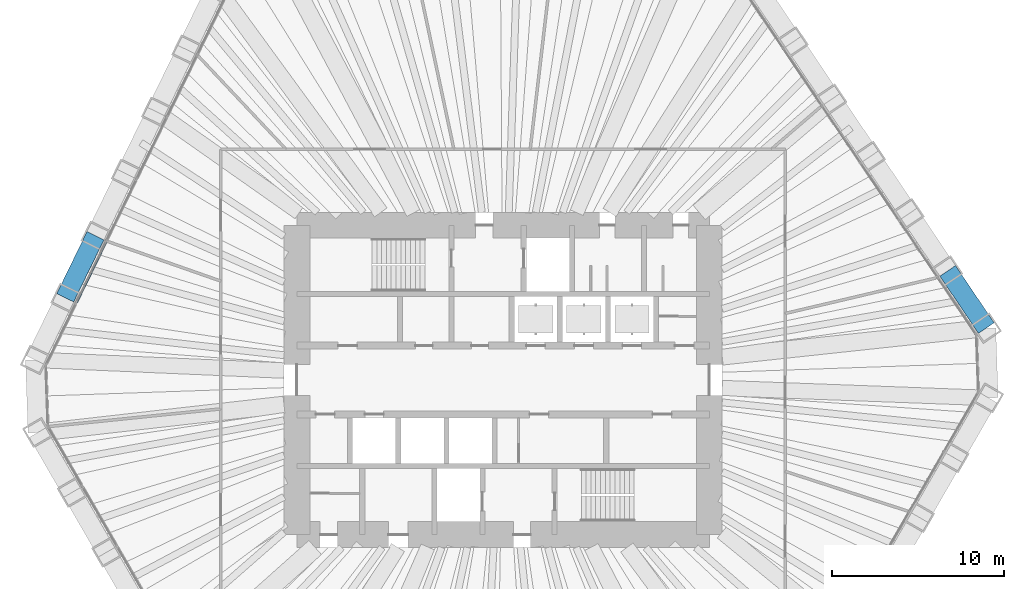
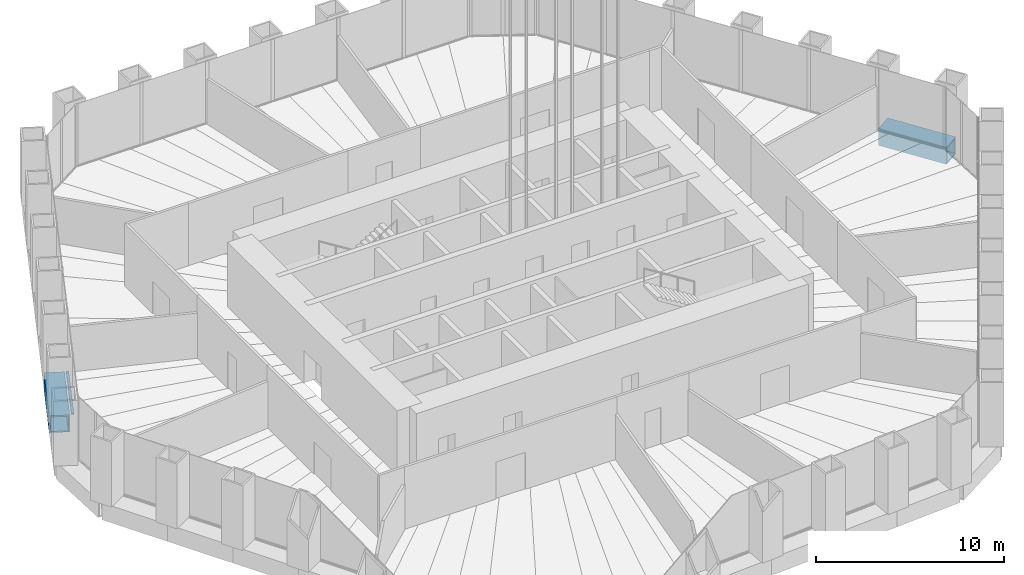
# One storey, part 5 of 20: 3 members, 1 element without a shape of its own.
"""IFC4 building model written with IfcOpenShell, lengths in metres."""

import ifcopenshell
import ifcopenshell.guid

model = None  # the IFC model being written
_history = None  # IfcOwnerHistory: only IFC2X3 demands one
_inside = {}  # id of a spatial element -> (the spatial element, [elements in it])
_under = {}  # id of a project, library or spatial element -> (it, [spatial elements below it])
_declared = {}  # id of a project -> (the project, [libraries it declares])
_typed = {}  # id of a type object -> (the type object, [elements of that type])
_made_of = {}  # id of a material, layer set ... -> (it, [elements and type objects made of it])


def new_model(schema):
    """Start an empty IFC model of exactly this schema.

    Asked for "IFC4X3", IfcOpenShell would pick the latest addendum, in which some entities
    have other attributes; the version numbers below select the first issue.
    IFC2X3 requires an IfcOwnerHistory on every rooted entity: one is made here for all.
    """
    global model, _history
    if schema == "IFC4X3":
        model = ifcopenshell.file(schema_version=(4, 3, 0, 0))
    else:
        model = ifcopenshell.file(schema=schema)
    _inside.clear()
    _under.clear()
    _declared.clear()
    _typed.clear()
    _made_of.clear()
    _history = None
    if model.schema == "IFC2X3":
        org = make("IfcOrganization", Name="unknown")
        user = make(
            "IfcPersonAndOrganization",
            ThePerson=make("IfcPerson", FamilyName="unknown"),
            TheOrganization=org,
        )
        app = make(
            "IfcApplication",
            ApplicationDeveloper=org,
            Version="unknown",
            ApplicationFullName="unknown",
            ApplicationIdentifier="unknown",
        )
        _history = make(
            "IfcOwnerHistory",
            OwningUser=user,
            OwningApplication=app,
            ChangeAction="ADDED",
            CreationDate=0,
        )
    return model


def make(cls, **values):
    """One entity of the class cls with the attributes given. An attribute that is None is left unset."""
    return model.create_entity(
        cls, **{name: value for name, value in values.items() if value is not None}
    )


def rooted(cls, **values):
    """An entity with a GlobalId (a new one), such as an element, a storey or a relation."""
    return make(cls, GlobalId=ifcopenshell.guid.new(), OwnerHistory=_history, **values)


def si_unit(unit_type, name, prefix=None):
    """IfcSIUnit, for example si_unit("LENGTHUNIT", "METRE", prefix="MILLI")."""
    return make("IfcSIUnit", UnitType=unit_type, Prefix=prefix, Name=name)


def assignment(units):
    """IfcUnitAssignment: the units of a project."""
    return None if units is None else make("IfcUnitAssignment", Units=units)


def point(xyz):
    """IfcCartesianPoint."""
    return None if xyz is None else make("IfcCartesianPoint", Coordinates=xyz)


def direction(xyz):
    """IfcDirection."""
    return None if xyz is None else make("IfcDirection", DirectionRatios=xyz)


def frame(location, z_axis=None, x_axis=None):
    """IfcAxis2Placement3D, a coordinate frame: its origin and axes. An axis left out is left unset."""
    return make(
        "IfcAxis2Placement3D",
        Location=point(location),
        Axis=direction(z_axis),
        RefDirection=direction(x_axis),
    )


def frame_2d(location, x_axis=None):
    """IfcAxis2Placement2D, a coordinate frame in the plane: its origin and x axis."""
    return make(
        "IfcAxis2Placement2D", Location=point(location), RefDirection=direction(x_axis)
    )


def origin():
    """The frame at (0, 0, 0) with its axes left unset."""
    return frame((0.0, 0.0, 0.0))


def origin_2d():
    """The frame at (0, 0) in the plane with its x axis left unset."""
    return frame_2d((0.0, 0.0))


def place(relative_to, where):
    """IfcLocalPlacement: puts the frame where relative to a parent placement (None: the world)."""
    return make(
        "IfcLocalPlacement", PlacementRelTo=relative_to, RelativePlacement=where
    )


def context(
    kind, dimensions, precision=None, world=None, true_north=None, identifier=None
):
    """IfcGeometricRepresentationContext, for example the 3D "Model" context."""
    return make(
        "IfcGeometricRepresentationContext",
        ContextIdentifier=identifier,
        ContextType=kind,
        CoordinateSpaceDimension=dimensions,
        Precision=precision,
        WorldCoordinateSystem=world,
        TrueNorth=true_north,
    )


def subcontext(parent, identifier, kind, view, scale=None):
    """IfcGeometricRepresentationSubContext, for example "Body" below "Model"."""
    return make(
        "IfcGeometricRepresentationSubContext",
        ContextIdentifier=identifier,
        ContextType=kind,
        ParentContext=parent,
        TargetScale=scale,
        TargetView=view,
    )


def project(units=None, contexts=None):
    """IfcProject with its units and contexts."""
    return rooted(
        "IfcProject",
        Name="project",
        RepresentationContexts=contexts,
        UnitsInContext=assignment(units),
    )


def spatial(cls, under=None, at=None, **own):
    """A site, building, storey or space (cls), placed at a placement, below another one or the project."""
    s = rooted(cls, ObjectPlacement=at, **own)
    if under is not None:
        _under.setdefault(under.id(), (under, []))[1].append(s)
    return s


def profile(cls, at=None, kind="AREA", **sizes):
    """A parametric profile (cls). Its sizes go by their IFC names, for example OverallWidth=200.0."""
    return make(cls, ProfileType=kind, Position=at, **sizes)


def rectangle(**sizes):
    """IfcRectangleProfileDef."""
    return profile("IfcRectangleProfileDef", **sizes)


def hollow_rectangle(**sizes):
    """IfcRectangleHollowProfileDef."""
    return profile("IfcRectangleHollowProfileDef", **sizes)


def extrude(swept, where, along, depth):
    """IfcExtrudedAreaSolid: the profile swept, set in the frame where, extruded along a direction by depth."""
    return make(
        "IfcExtrudedAreaSolid",
        SweptArea=swept,
        Position=where,
        ExtrudedDirection=direction(along),
        Depth=depth,
    )


def shape(context_of_items, identifier, shape_type, items):
    """IfcShapeRepresentation: the items that make up one representation, for example the "Body"."""
    return make(
        "IfcShapeRepresentation",
        ContextOfItems=context_of_items,
        RepresentationIdentifier=identifier,
        RepresentationType=shape_type,
        Items=items,
    )


def material(Name=None, Category=None):
    """IfcMaterial."""
    return make("IfcMaterial", Name=Name, Category=Category)


def material_profile(
    of_material, cross_section, Name=None, Category=None, Priority=None
):
    """IfcMaterialProfile: a cross section and its material."""
    return make(
        "IfcMaterialProfile",
        Name=Name,
        Material=of_material,
        Profile=cross_section,
        Priority=Priority,
        Category=Category,
    )


def profile_set(profiles, Name=None, composite=None):
    """IfcMaterialProfileSet."""
    return make(
        "IfcMaterialProfileSet",
        Name=Name,
        MaterialProfiles=profiles,
        CompositeProfile=composite,
    )


def made_of(thing, what):
    """Note that an element or type object is made of a material, layer set ...; save() writes the relation."""
    if what is not None:
        _made_of.setdefault(what.id(), (what, []))[1].append(thing)
    return thing


def type_object(cls, material=None, **own):
    """A type object (cls), such as IfcWallType, which elements share."""
    return made_of(rooted(cls, **own), material)


def element(
    cls,
    number,
    at=None,
    inside=None,
    cuts=None,
    type_object=None,
    material=None,
    context=None,
    identifier="Body",
    shape_type=None,
    held_by="IfcProductDefinitionShape",
    body=None,
    shapes=None,
    **own,
):
    """One element of the class cls, such as IfcWall. Its Tag is "e" and its number.

    at: its placement. inside: the storey or other place that contains it. cuts: it is an
    opening in that element (IfcRelVoidsElement). A single representation is given by context,
    identifier, shape_type and body (its items); several are given by shapes. held_by: the class
    of the entity that holds the representations. save() writes the other relations.
    """
    e = rooted(cls, Tag="e%d" % number, ObjectPlacement=at, **own)
    if body is not None:
        shapes = [shape(context, identifier, shape_type, body)]
    if shapes is not None:
        e.Representation = make(held_by, Representations=shapes)
    if inside is not None:
        _inside.setdefault(inside.id(), (inside, []))[1].append(e)
    if cuts is not None:
        rooted(
            "IfcRelVoidsElement", RelatingBuildingElement=cuts, RelatedOpeningElement=e
        )
    if type_object is not None:
        _typed.setdefault(type_object.id(), (type_object, []))[1].append(e)
    return made_of(e, material)


def aggregate(whole, parts):
    """IfcRelAggregates: a whole, such as a stair, and the parts it consists of."""
    return rooted("IfcRelAggregates", RelatingObject=whole, RelatedObjects=parts)


def save(model, path):
    """Write the relations noted so far, then the file.

    IfcRelAggregates (storeys below a building ...), IfcRelContainedInSpatialStructure (elements
    in a storey), IfcRelDefinesByType, IfcRelAssociatesMaterial and IfcRelDeclares: one each for
    every whole, place, type object, material and project.
    """
    for whole, parts in _under.values():
        aggregate(whole, parts)
    for where, things in _inside.values():
        rooted(
            "IfcRelContainedInSpatialStructure",
            RelatedElements=things,
            RelatingStructure=where,
        )
    for kind, things in _typed.values():
        rooted("IfcRelDefinesByType", RelatedObjects=things, RelatingType=kind)
    for what, things in _made_of.values():
        rooted("IfcRelAssociatesMaterial", RelatedObjects=things, RelatingMaterial=what)
    for by, libraries in _declared.values():
        rooted("IfcRelDeclares", RelatingContext=by, RelatedDefinitions=libraries)
    model.write(path)


model = new_model("IFC4")

# Units and contexts
model_context = context("Model", 3, precision=1e-05, world=origin(), true_north=direction((0.0, 1.0)))
body_context = subcontext(model_context, "Body", "Model", "MODEL_VIEW")
ifc_project = project(units=[si_unit("LENGTHUNIT", "METRE"), si_unit("AREAUNIT", "SQUARE_METRE"), si_unit("VOLUMEUNIT", "CUBIC_METRE"), si_unit("PLANEANGLEUNIT", "RADIAN"), si_unit("MASSUNIT", "GRAM", prefix="KILO")], contexts=[model_context])

# Site, building, storey
site_placement = place(None, origin())
site = spatial("IfcSite", under=ifc_project, at=site_placement, CompositionType="ELEMENT")
building_placement = place(site_placement, origin())
building = spatial("IfcBuilding", under=site, at=building_placement, Name="Qingtian Harvest Tower", CompositionType="ELEMENT")
storey_placement = place(building_placement, frame((0.0, 0.0, 103.0)))
storey = spatial("IfcBuildingStorey", under=building, at=storey_placement, Name="L20", CompositionType="ELEMENT", Elevation=103.0)

# Members
ifc_material_1 = material(Name="Steel SM570MC", Category="steel")
ifc_material_profile_1 = material_profile(ifc_material_1, hollow_rectangle(XDim=1.10009765625, YDim=1.10009765625, WallThickness=0.080078125, at=origin_2d()), Name="BOX1100x1100x80")
ifc_profile_set_1 = profile_set([ifc_material_profile_1], Name="Steel SM570MC")
member_type_1 = type_object("IfcMemberType", Name="Belt truss chord BC1 BOX1100x1100x80", PredefinedType="CHORD", material=ifc_profile_set_1)
for number, where, z_axis, x_axis, name in (
    (1, (25.8720703125, 6.3505859375, -0.550048828125), (0.55916400171, -0.829057066306, 0.0), (0.829057066306, 0.55916400171, 0.0), "Belt chord BC1 NE5"),
    (2, (-25.483154296875, 4.78125, -0.550048828125), (0.438396105405, 0.89878187274, 0.0), (-0.89878187274, 0.438396105405, 0.0), "Belt chord BC1 NW1"),
):
    element("IfcMember", number, at=place(storey_placement, frame(where, z_axis=z_axis, x_axis=x_axis)), inside=storey, type_object=member_type_1, Name=name, PredefinedType="CHORD", context=body_context, shape_type="SweptSolid", body=[
        extrude(hollow_rectangle(XDim=1.10009765625, YDim=1.10009765625, WallThickness=0.080078125, at=origin_2d()), origin(), (0.0, 0.0, 1.0), 4.01904296875),
    ])

# Curtain wall, member
ifc_material_2 = material(Name="Bronze-anodised aluminium curtain wall", Category="aluminium")
curtain_wall_type = type_object("IfcCurtainWallType", Name="Curtain wall CW3 sky lobby", PredefinedType="USERDEFINED", material=ifc_material_2)
curtain_wall_placement = place(storey_placement, origin())
curtain_wall = element("IfcCurtainWall", 3, at=curtain_wall_placement, inside=storey, type_object=curtain_wall_type, Name="Curtain wall CW3 L20 NW0-5", ObjectType="RECESSED CURTAIN WALL", PredefinedType="USERDEFINED")
ifc_material_3 = material(Name="Bronze-anodised aluminium transom", Category="aluminium")
ifc_material_profile_2 = material_profile(ifc_material_3, rectangle(XDim=0.14990234375, YDim=0.06494140625, at=origin_2d()), Name="AL 65x150")
ifc_profile_set_2 = profile_set([ifc_material_profile_2], Name="Bronze-anodised aluminium transom")
member_type_2 = type_object("IfcMemberType", Name="Transom CWT 65x150", PredefinedType="USERDEFINED", material=ifc_profile_set_2)
member_placement = place(storey_placement, frame((-24.839599609375, 4.503662109375, 0.032470703125), z_axis=(0.438374972828, 0.898792180205, 0.0), x_axis=(-0.898792180205, 0.438374972828, 0.0)))
member = element("IfcMember", 4, at=member_placement, type_object=member_type_2, Name="CW3 transom 2.1", ObjectType="TRANSOM", PredefinedType="USERDEFINED", context=body_context, shape_type="SweptSolid", body=[
    extrude(rectangle(XDim=0.14990234375, YDim=0.06494140625, at=origin_2d()), origin(), (0.0, 0.0, 1.0), 3.9541015625),
])
aggregate(curtain_wall, [member])

save(model, "model.ifc")
